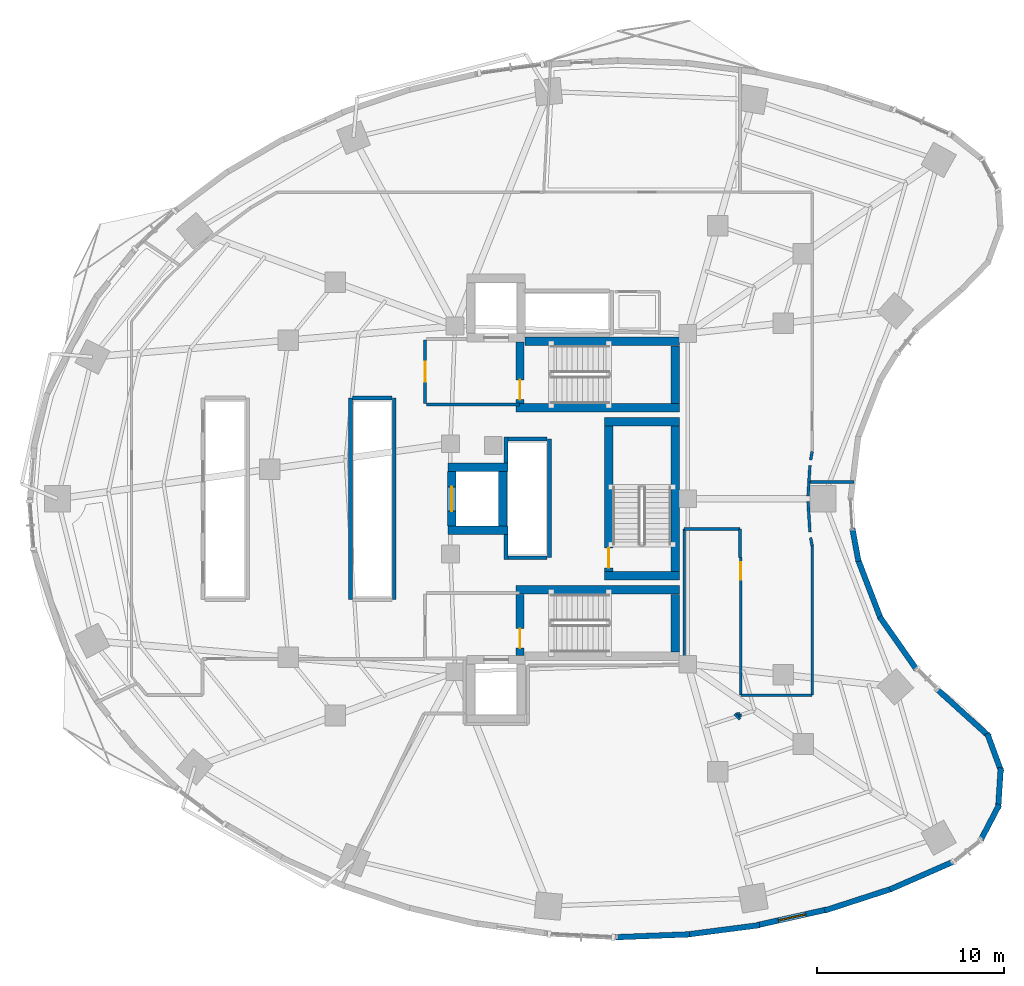
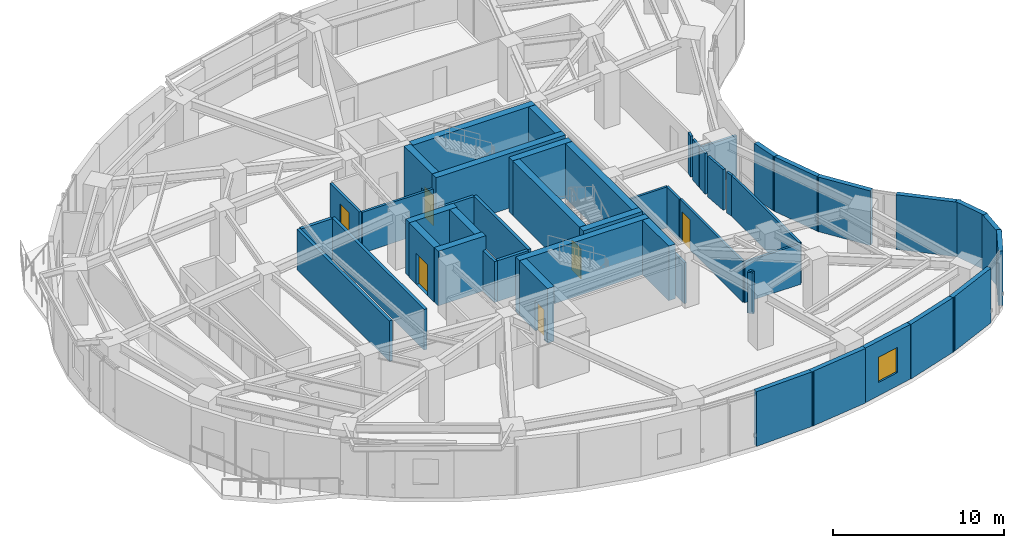
# One storey, part 9 of 14: 52 walls, 6 doors, 1 window, 7 openings.
"""IFC4 building model written with IfcOpenShell, lengths in metres."""

from ifc_helpers import new_model, si_unit, direction, frame, frame_2d, origin, place, context, subcontext, project, spatial, rectangle, extrude, material, layer, layer_set, type_object, element, fill, save


model = new_model("IFC4")

# Units and contexts
model_context = context("Model", 3, precision=1e-05, world=origin(), true_north=direction((0.0, 1.0)))
body_context = subcontext(model_context, "Body", "Model", "MODEL_VIEW")
ifc_project = project(units=[si_unit("LENGTHUNIT", "METRE"), si_unit("AREAUNIT", "SQUARE_METRE"), si_unit("VOLUMEUNIT", "CUBIC_METRE"), si_unit("PLANEANGLEUNIT", "RADIAN"), si_unit("MASSUNIT", "GRAM", prefix="KILO")], contexts=[model_context])

# Site, building, storey
site_placement = place(None, origin())
site = spatial("IfcSite", under=ifc_project, at=site_placement, CompositionType="ELEMENT")
building_placement = place(site_placement, origin())
building = spatial("IfcBuilding", under=site, at=building_placement, Name="Korentha Bioscience Tower", CompositionType="ELEMENT")
storey_placement = place(building_placement, frame((0.0, 0.0, 63.60009765625)))
storey = spatial("IfcBuildingStorey", under=building, at=storey_placement, Name="L14", CompositionType="ELEMENT", Elevation=63.60009765625)

# Wall, opening, door
ifc_material_1 = material(Name="Double-Stud Acoustic Gypsum", Category="gypsum")
ifc_layer_1 = layer(ifc_material_1, 0.14990234375, Name="Double-Stud Acoustic Gypsum")
ifc_layer_set_1 = layer_set([ifc_layer_1], Name="Double-Stud Acoustic Gypsum (IW-L150)")
wall_type_1 = type_object("IfcWallType", Name="Acoustic Laboratory Partition Wall 150", PredefinedType="PARTITIONING", material=ifc_layer_set_1)
wall_1_placement = place(storey_placement, frame((40.389892578125, 23.851318359375, 0.0), z_axis=(0.0, 0.0, 1.0), x_axis=(0.0, -1.0, 0.0)))
wall_1 = element("IfcWall", 1, at=wall_1_placement, inside=storey, type_object=wall_type_1, Name="L14 Biomechanical Motion Analysis Lab 02 Entrance Wall", PredefinedType="PARTITIONING", context=body_context, shape_type="SweptSolid", body=[
    extrude(rectangle(XDim=7.351318359375, YDim=0.14990234375, at=frame_2d((3.67578125, 0.0))), origin(), (0.0, 0.0, 1.0), 2.909912109375),
])
opening_1_placement = place(wall_1_placement, frame((0.239990234375, 0.0, 0.0)))
opening_1 = element("IfcOpeningElement", 2, at=opening_1_placement, cuts=wall_1, Name="Opening ID-10L", PredefinedType="OPENING", context=body_context, shape_type="SweptSolid", body=[
    extrude(rectangle(XDim=0.949951171875, YDim=2.14990234375, at=frame_2d((0.47509765625, 1.074951171875))), frame((0.0, 0.08984375, 0.0), z_axis=(0.0, -1.0, 0.0), x_axis=(1.0, 0.0, 0.0)), (0.0, 0.0, 1.0), 0.1796875),
])
ifc_material_2 = material(Name="Phenolic Laminate Timber Core", Category="wood")
door_type_1 = type_object("IfcDoorType", Name="Laboratory Single Leaf Door 950x2150 Left", OperationType="SINGLE_SWING_LEFT", PredefinedType="DOOR", material=ifc_material_2)
door_1_placement = place(opening_1_placement, origin())
door_1 = element("IfcDoor", 3, at=door_1_placement, inside=storey, type_object=door_type_1, Name="L14 Biomechanical Motion Analysis Lab 02 Door", OperationType="SINGLE_SWING_LEFT", OverallHeight=2.14990234375, OverallWidth=0.949951171875, PredefinedType="DOOR", context=body_context, shape_type="SweptSolid", body=[
    extrude(rectangle(XDim=0.949951171875, YDim=2.14990234375, at=frame_2d((0.47509765625, 1.074951171875))), frame((0.0, 0.02490234375, 0.0), z_axis=(0.0, -1.0, 0.0), x_axis=(1.0, 0.0, 0.0)), (0.0, 0.0, 1.0), 0.050048828125),
])
fill(opening_1, door_1)

# Walls
wall_2_placement = place(storey_placement, frame((37.360107421875, 18.10009765625, 0.0), z_axis=(0.0, 0.0, 1.0), x_axis=(0.0, 1.0, 0.0)))
element("IfcWall", 4, at=wall_2_placement, inside=storey, type_object=wall_type_1, Name="L14 Interior Partition 021", PredefinedType="PARTITIONING", context=body_context, shape_type="SweptSolid", body=[
    extrude(rectangle(XDim=7.289794921875, YDim=0.14990234375, at=frame_2d((3.64501953125, 0.0))), origin(), (0.0, 0.0, 1.0), 2.909912109375),
])
wall_3_placement = place(storey_placement, frame((37.360107421875, 25.389892578125, 0.0), z_axis=(0.0, 0.0, 1.0), x_axis=(1.0, 0.0, 0.0)))
element("IfcWall", 5, at=wall_3_placement, inside=storey, type_object=wall_type_1, Name="L14 Interior Partition 022", PredefinedType="PARTITIONING", context=body_context, shape_type="SweptSolid", body=[
    extrude(rectangle(XDim=2.98779296875, YDim=0.14990234375, at=frame_2d((1.493896484375, 0.0))), origin(), (0.0, 0.0, 1.0), 2.909912109375),
])
wall_4_placement = place(storey_placement, frame((40.347900390625, 25.389892578125, 0.0), z_axis=(0.0, 0.0, 1.0), x_axis=(0.0, -1.0, 0.0)))
element("IfcWall", 6, at=wall_4_placement, inside=storey, type_object=wall_type_1, Name="L14 Interior Partition 023", PredefinedType="PARTITIONING", context=body_context, shape_type="SweptSolid", body=[
    extrude(rectangle(XDim=1.522705078125, YDim=0.14990234375, at=frame_2d((0.76123046875, 0.0))), origin(), (0.0, 0.0, 1.0), 2.909912109375),
])
wall_5_placement = place(storey_placement, frame((40.39990234375, 16.489990234375, 0.0), z_axis=(0.0, 0.0, 1.0), x_axis=(1.0, 0.0, 0.0)))
element("IfcWall", 7, at=wall_5_placement, inside=storey, type_object=wall_type_1, Name="L14 Interior Partition 024", PredefinedType="PARTITIONING", context=body_context, shape_type="SweptSolid", body=[
    extrude(rectangle(XDim=3.800048828125, YDim=0.14990234375, at=frame_2d((1.89990234375, 0.0))), origin(), (0.0, 0.0, 1.0), 2.909912109375),
])
wall_6_placement = place(storey_placement, frame((44.2099609375, 16.5, 0.0), z_axis=(0.0, 0.0, 1.0), x_axis=(0.0, 1.0, 0.0)))
element("IfcWall", 8, at=wall_6_placement, inside=storey, type_object=wall_type_1, Name="L14 Interior Partition 025", PredefinedType="PARTITIONING", context=body_context, shape_type="SweptSolid", body=[
    extrude(rectangle(XDim=7.970458984375, YDim=0.14990234375, at=frame_2d((3.9853515625, 0.0))), origin(), (0.0, 0.0, 1.0), 2.909912109375),
])
wall_7_placement = place(storey_placement, frame((44.209716796875, 24.47216796875, 0.0), z_axis=(0.0, 0.0, 1.0), x_axis=(-0.181936414242, 0.983310297502, 0.0)))
element("IfcWall", 9, at=wall_7_placement, inside=storey, type_object=wall_type_1, Name="L14 Interior Partition 026", PredefinedType="PARTITIONING", context=body_context, shape_type="SweptSolid", body=[
    extrude(rectangle(XDim=0.45751953125, YDim=0.14990234375, at=frame_2d((0.228759765625, 0.0))), origin(), (0.0, 0.0, 1.0), 2.909912109375),
])
wall_8_placement = place(storey_placement, frame((44.090087890625, 25.217041015625, 0.0), z_axis=(0.0, 0.0, 1.0), x_axis=(-0.060976688407, 0.998139190429, 0.0)))
element("IfcWall", 10, at=wall_8_placement, inside=storey, type_object=wall_type_1, Name="L14 Interior Partition 027", PredefinedType="PARTITIONING", context=body_context, shape_type="SweptSolid", body=[
    extrude(rectangle(XDim=1.637451171875, YDim=0.14990234375, at=frame_2d((0.81884765625, 0.0))), origin(), (0.0, 0.0, 1.0), 2.909912109375),
])
wall_9_placement = place(storey_placement, frame((43.990234375, 27.1484375, 0.0), z_axis=(0.0, 0.0, 1.0), x_axis=(0.061123284078, 0.998130224041, 0.0)))
element("IfcWall", 11, at=wall_9_placement, inside=storey, type_object=wall_type_1, Name="L14 Interior Partition 028", PredefinedType="PARTITIONING", context=body_context, shape_type="SweptSolid", body=[
    extrude(rectangle(XDim=0.7509765625, YDim=0.14990234375, at=frame_2d((0.37548828125, 0.0))), origin(), (0.0, 0.0, 1.0), 2.909912109375),
])
wall_10_placement = place(storey_placement, frame((44.0361328125, 27.89794921875, 0.0), z_axis=(0.0, 0.0, 1.0), x_axis=(1.0, 0.0, 0.0)))
element("IfcWall", 12, at=wall_10_placement, inside=storey, type_object=wall_type_1, Name="L14 Interior Partition 029", PredefinedType="PARTITIONING", context=body_context, shape_type="SweptSolid", body=[
    extrude(rectangle(XDim=2.4140625, YDim=0.14990234375, at=frame_2d((1.20703125, 0.0))), origin(), (0.0, 0.0, 1.0), 2.909912109375),
])
wall_11_placement = place(storey_placement, frame((40.35205078125, 15.311767578125, 0.0), z_axis=(0.0, 0.0, 1.0), x_axis=(0.0, 1.0, 0.0)))
element("IfcWall", 13, at=wall_11_placement, inside=storey, type_object=wall_type_1, Name="L14 Interior Partition 031", PredefinedType="PARTITIONING", context=body_context, shape_type="SweptSolid", body=[
    extrude(rectangle(XDim=0.18603515625, YDim=0.14990234375, at=frame_2d((0.093017578125, 0.0))), origin(), (0.0, 0.0, 1.0), 2.909912109375),
])
wall_12_placement = place(storey_placement, frame((40.347900390625, 15.501953125, 0.0), z_axis=(0.0, 0.0, 1.0), x_axis=(-1.0, 0.0, 0.0)))
element("IfcWall", 14, at=wall_12_placement, inside=storey, type_object=wall_type_1, Name="L14 Interior Partition 032", PredefinedType="PARTITIONING", context=body_context, shape_type="SweptSolid", body=[
    extrude(rectangle(XDim=0.17919921875, YDim=0.14990234375, at=frame_2d((0.089599609375, 0.0))), origin(), (0.0, 0.0, 1.0), 2.909912109375),
])
wall_13_placement = place(storey_placement, frame((40.06689453125, 15.4951171875, 0.0), z_axis=(0.0, 0.0, 1.0), x_axis=(0.694203183931, -0.719779090708, 0.0)))
element("IfcWall", 15, at=wall_13_placement, inside=storey, type_object=wall_type_1, Name="L14 Interior Partition 033", PredefinedType="PARTITIONING", context=body_context, shape_type="SweptSolid", body=[
    extrude(rectangle(XDim=0.40087890625, YDim=0.14990234375, at=frame_2d((0.200439453125, 0.0))), origin(), (0.0, 0.0, 1.0), 2.909912109375),
])
wall_14_placement = place(storey_placement, frame((44.03662109375, 27.907958984375, 0.0), z_axis=(0.0, 0.0, 1.0), x_axis=(0.060991152113, 0.998138306731, 0.0)))
element("IfcWall", 16, at=wall_14_placement, inside=storey, type_object=wall_type_1, Name="L14 Interior Partition 034", PredefinedType="PARTITIONING", context=body_context, shape_type="SweptSolid", body=[
    extrude(rectangle(XDim=0.876708984375, YDim=0.14990234375, at=frame_2d((0.4384765625, 0.0))), origin(), (0.0, 0.0, 1.0), 2.909912109375),
])
wall_15_placement = place(storey_placement, frame((44.12646484375, 29.077880859375, 0.0), z_axis=(0.0, 0.0, 1.0), x_axis=(0.181936414242, 0.983310297502, 0.0)))
element("IfcWall", 17, at=wall_15_placement, inside=storey, type_object=wall_type_1, Name="L14 Interior Partition 035", PredefinedType="PARTITIONING", context=body_context, shape_type="SweptSolid", body=[
    extrude(rectangle(XDim=0.45751953125, YDim=0.14990234375, at=frame_2d((0.228759765625, 0.0))), origin(), (0.0, 0.0, 1.0), 2.909912109375),
])

# Wall, opening, door
ifc_material_3 = material(Name="Gypsum-Clad Steel Stud", Category="steel")
ifc_layer_2 = layer(ifc_material_3, 0.159912109375, Name="Gypsum-Clad Steel Stud")
ifc_layer_set_2 = layer_set([ifc_layer_2], Name="Gypsum-Clad Steel Stud (IW-C160)")
wall_type_2 = type_object("IfcWallType", Name="Fire-Rated Corridor Partition Wall 160", PredefinedType="PARTITIONING", material=ifc_layer_set_2)
wall_16_placement = place(storey_placement, frame((23.5, 32.10009765625, 0.0), z_axis=(0.0, 0.0, 1.0), x_axis=(0.0, 1.0, 0.0)))
wall_16 = element("IfcWall", 18, at=wall_16_placement, inside=storey, type_object=wall_type_2, Name="L14 FFLN-CW Rated Enclosure Wall", PredefinedType="PARTITIONING", context=body_context, shape_type="SweptSolid", body=[
    extrude(rectangle(XDim=3.39990234375, YDim=0.159912109375, at=frame_2d((1.699951171875, 0.0))), origin(), (0.0, 0.0, 1.0), 2.909912109375),
])
opening_2_placement = place(wall_16_placement, frame((1.175048828125, 0.0, 0.0)))
opening_2 = element("IfcOpeningElement", 19, at=opening_2_placement, cuts=wall_16, Name="Opening FD-90L", PredefinedType="OPENING", context=body_context, shape_type="SweptSolid", body=[
    extrude(rectangle(XDim=1.050048828125, YDim=2.14990234375, at=frame_2d((0.52490234375, 1.074951171875))), frame((0.0, 0.0947265625, 0.0), z_axis=(0.0, -1.0, 0.0), x_axis=(1.0, 0.0, 0.0)), (0.0, 0.0, 1.0), 0.189697265625),
])
ifc_material_4 = material(Name="Powder-Coated Fire-Rated Steel", Category="steel")
door_type_2 = type_object("IfcDoorType", Name="Stairwell Fire Exit Door 1050x2150 Left", OperationType="SINGLE_SWING_LEFT", PredefinedType="DOOR", material=ifc_material_4)
door_2_placement = place(opening_2_placement, origin())
door_2 = element("IfcDoor", 20, at=door_2_placement, inside=storey, type_object=door_type_2, Name="L14 North Firefighting Lobby Door", OperationType="SINGLE_SWING_LEFT", OverallHeight=2.14990234375, OverallWidth=1.050048828125, PredefinedType="DOOR", context=body_context, shape_type="SweptSolid", body=[
    extrude(rectangle(XDim=1.050048828125, YDim=2.14990234375, at=frame_2d((0.52490234375, 1.074951171875))), frame((0.0, 0.02490234375, 0.0), z_axis=(0.0, -1.0, 0.0), x_axis=(1.0, 0.0, 0.0)), (0.0, 0.0, 1.0), 0.050048828125),
])
fill(opening_2, door_2)

# Wall
wall_17_placement = place(storey_placement, frame((23.580078125, 32.050048828125, 0.0), z_axis=(0.0, 0.0, 1.0), x_axis=(1.0, 0.0, 0.0)))
element("IfcWall", 21, at=wall_17_placement, inside=storey, type_object=wall_type_2, Name="L14 Firefighting Lobby Return Wall FFLN-S", PredefinedType="PARTITIONING", context=body_context, shape_type="SweptSolid", body=[
    extrude(rectangle(XDim=4.969970703125, YDim=0.159912109375, at=frame_2d((2.48486328125, 0.0))), origin(), (0.0, 0.0, 1.0), 2.909912109375),
])

# Wall, opening, window
ifc_material_5 = material(Name="Honed Limestone Precast Concrete C40", Category="masonry")
ifc_layer_3 = layer(ifc_material_5, 0.300048828125, Name="Honed Limestone Precast Concrete C40")
ifc_layer_set_3 = layer_set([ifc_layer_3], Name="Honed Limestone Precast Concrete C40 (EW-ST300)")
wall_type_3 = type_object("IfcWallType", Name="Honed Limestone Cavity Spandrel Wall 300", PredefinedType="STANDARD", material=ifc_layer_set_3)
wall_18_placement = place(storey_placement, frame((41.239990234375, 4.17919921875, 0.0), z_axis=(0.0, 0.0, 1.0), x_axis=(0.9758772609, 0.218319883791, 0.0)))
wall_18 = element("IfcWall", 22, at=wall_18_placement, inside=storey, type_object=wall_type_3, Name="L14 Honed Limestone Spandrel Wall 34", PredefinedType="STANDARD", context=body_context, shape_type="SweptSolid", body=[
    extrude(rectangle(XDim=3.869140625, YDim=0.300048828125, at=frame_2d((1.9345703125, 0.0))), origin(), (0.0, 0.0, 1.0), 3.89990234375),
])
opening_3_placement = place(wall_18_placement, frame((1.1845703125, 0.0, 0.949951171875)))
opening_3 = element("IfcOpeningElement", 23, at=opening_3_placement, cuts=wall_18, Name="Opening WN-02", PredefinedType="OPENING", context=body_context, shape_type="SweptSolid", body=[
    extrude(rectangle(XDim=1.5, YDim=1.800048828125, at=frame_2d((0.75, 0.89990234375))), frame((0.0, 0.1650390625, 0.0), z_axis=(0.0, -1.0, 0.0), x_axis=(1.0, 0.0, 0.0)), (0.0, 0.0, 1.0), 0.329833984375),
])
ifc_material_6 = material(Name="Thermally Broken Aluminium Triple Glazing", Category="aluminium")
window_type = type_object("IfcWindowType", Name="Acoustic Operable Office Window 1500x1800", PartitioningType="DOUBLE_PANEL_VERTICAL", PredefinedType="WINDOW", material=ifc_material_6)
window_placement = place(opening_3_placement, origin())
window = element("IfcWindow", 24, at=window_placement, inside=storey, type_object=window_type, Name="L14 Facade Window 34", OverallHeight=1.800048828125, OverallWidth=1.5, PartitioningType="DOUBLE_PANEL_VERTICAL", PredefinedType="WINDOW", context=body_context, shape_type="SweptSolid", body=[
    extrude(rectangle(XDim=1.5, YDim=1.800048828125, at=frame_2d((0.75, 0.89990234375))), frame((0.0, 0.030029296875, 0.0), z_axis=(0.0, -1.0, 0.0), x_axis=(1.0, 0.0, 0.0)), (0.0, 0.0, 1.0), 0.06005859375),
])
fill(opening_3, window)

# Walls
wall_19_placement = place(storey_placement, frame((33.66796875, 3.53759765625, 0.0), z_axis=(0.0, 0.0, 1.0), x_axis=(0.999245411623, 0.038840794937, 0.0)))
element("IfcWall", 25, at=wall_19_placement, inside=storey, type_object=wall_type_3, Name="L14 Limestone Perimeter Closure Wall 32", PredefinedType="STANDARD", context=body_context, shape_type="SweptSolid", body=[
    extrude(rectangle(XDim=3.978759765625, YDim=0.300048828125, at=frame_2d((1.9892578125, 0.0))), origin(), (0.0, 0.0, 1.0), 3.89990234375),
])
wall_20_placement = place(storey_placement, frame((37.471923828125, 3.677734375, 0.0), z_axis=(0.0, 0.0, 1.0), x_axis=(0.991734095036, 0.128310111617, 0.0)))
element("IfcWall", 26, at=wall_20_placement, inside=storey, type_object=wall_type_3, Name="L14 Limestone Perimeter Closure Wall 33", PredefinedType="STANDARD", context=body_context, shape_type="SweptSolid", body=[
    extrude(rectangle(XDim=3.955810546875, YDim=0.300048828125, at=frame_2d((1.97802734375, 0.0))), origin(), (0.0, 0.0, 1.0), 3.89990234375),
])
wall_21_placement = place(storey_placement, frame((44.872802734375, 4.963134765625, 0.0), z_axis=(0.0, 0.0, 1.0), x_axis=(0.950965833732, 0.309295947393, 0.0)))
element("IfcWall", 27, at=wall_21_placement, inside=storey, type_object=wall_type_3, Name="L14 Limestone Perimeter Closure Wall 35", PredefinedType="STANDARD", context=body_context, shape_type="SweptSolid", body=[
    extrude(rectangle(XDim=3.840087890625, YDim=0.300048828125, at=frame_2d((1.919921875, 0.0))), origin(), (0.0, 0.0, 1.0), 3.89990234375),
])
wall_22_placement = place(storey_placement, frame((48.3623046875, 6.089111328125, 0.0), z_axis=(0.0, 0.0, 1.0), x_axis=(0.915945168042, 0.401303437738, 0.0)))
element("IfcWall", 28, at=wall_22_placement, inside=storey, type_object=wall_type_3, Name="L14 Limestone Perimeter Closure Wall 36", PredefinedType="STANDARD", context=body_context, shape_type="SweptSolid", body=[
    extrude(rectangle(XDim=3.75244140625, YDim=0.300048828125, at=frame_2d((1.876220703125, 0.0))), origin(), (0.0, 0.0, 1.0), 3.89990234375),
])
wall_23_placement = place(storey_placement, frame((53.20751953125, 8.691650390625, 0.0), z_axis=(0.0, 0.0, 1.0), x_axis=(0.463035066673, 0.886339961319, 0.0)))
element("IfcWall", 29, at=wall_23_placement, inside=storey, type_object=wall_type_3, Name="L14 Limestone Perimeter Closure Wall 38", PredefinedType="STANDARD", context=body_context, shape_type="SweptSolid", body=[
    extrude(rectangle(XDim=2.1875, YDim=0.300048828125, at=frame_2d((1.09375, 0.0))), origin(), (0.0, 0.0, 1.0), 3.89990234375),
])
for number, where, z_axis, x_axis, name in (
    (30, (54.16259765625, 10.42431640625, 0.0), (0.0, 0.0, 1.0), (0.064615302336, 0.99791024782, 0.0), "L14 Limestone Perimeter Closure Wall 39"),
    (31, (54.334716796875, 12.39501953125, 0.0), (0.0, 0.0, 1.0), (-0.344939866054, 0.938624785954, 0.0), "L14 Limestone Perimeter Closure Wall 40"),
):
    element("IfcWall", number, at=place(storey_placement, frame(where, z_axis=z_axis, x_axis=x_axis)), inside=storey, type_object=wall_type_3, Name=name, PredefinedType="STANDARD", context=body_context, shape_type="SweptSolid", body=[
        extrude(rectangle(XDim=2.187744140625, YDim=0.300048828125, at=frame_2d((1.09375, 0.0))), origin(), (0.0, 0.0, 1.0), 3.89990234375),
    ])
wall_24_placement = place(storey_placement, frame((53.704345703125, 14.26416015625, 0.0), z_axis=(0.0, 0.0, 1.0), x_axis=(-0.74117794387, 0.671308614216, 0.0)))
element("IfcWall", 32, at=wall_24_placement, inside=storey, type_object=wall_type_3, Name="L14 Limestone Perimeter Closure Wall 41", PredefinedType="STANDARD", context=body_context, shape_type="SweptSolid", body=[
    extrude(rectangle(XDim=3.815673828125, YDim=0.300048828125, at=frame_2d((1.90771484375, 0.0))), origin(), (0.0, 0.0, 1.0), 3.89990234375),
])
wall_25_placement = place(storey_placement, frame((49.79248046875, 17.8779296875, 0.0), z_axis=(0.0, 0.0, 1.0), x_axis=(-0.573576992806, 0.819151654655, 0.0)))
element("IfcWall", 33, at=wall_25_placement, inside=storey, type_object=wall_type_3, Name="L14 Limestone Perimeter Closure Wall 44", PredefinedType="STANDARD", context=body_context, shape_type="SweptSolid", body=[
    extrude(rectangle(XDim=3.429931640625, YDim=0.300048828125, at=frame_2d((1.71484375, 0.0))), origin(), (0.0, 0.0, 1.0), 3.89990234375),
])
wall_26_placement = place(storey_placement, frame((47.8837890625, 20.577392578125, 0.0), z_axis=(0.0, 0.0, 1.0), x_axis=(-0.358344570513, 0.933589400531, 0.0)))
element("IfcWall", 34, at=wall_26_placement, inside=storey, type_object=wall_type_3, Name="L14 Limestone Perimeter Closure Wall 46", PredefinedType="STANDARD", context=body_context, shape_type="SweptSolid", body=[
    extrude(rectangle(XDim=3.4296875, YDim=0.300048828125, at=frame_2d((1.71484375, 0.0))), origin(), (0.0, 0.0, 1.0), 3.89990234375),
])
wall_27_placement = place(storey_placement, frame((46.691162109375, 23.650390625, 0.0), z_axis=(0.0, 0.0, 1.0), x_axis=(-0.182230271073, 0.983255881399, 0.0)))
element("IfcWall", 35, at=wall_27_placement, inside=storey, type_object=wall_type_3, Name="L14 Limestone Perimeter Closure Wall 48", PredefinedType="STANDARD", context=body_context, shape_type="SweptSolid", body=[
    extrude(rectangle(XDim=1.7978515625, YDim=0.300048828125, at=frame_2d((0.89892578125, 0.0))), origin(), (0.0, 0.0, 1.0), 3.89990234375),
])
ifc_material_7 = material(Name="Autoclaved Aerated Concrete Block C25", Category="concrete")
ifc_layer_4 = layer(ifc_material_7, 0.199951171875, Name="Autoclaved Aerated Concrete Block C25")
ifc_layer_set_4 = layer_set([ifc_layer_4], Name="Autoclaved Aerated Concrete Block C25 (IW-S200)")
wall_type_4 = type_object("IfcWallType", Name="Lift and Riser Shaft Enclosure Wall 200", PredefinedType="PARTITIONING", material=ifc_layer_set_4)
for number, where, z_axis, x_axis, name in (
    (36, (19.5, 21.60009765625, 0.0), (0.0, 0.0, 1.0), (0.0, 1.0, 0.0), "L14 Lift Bank MID Shaft Wall -X"),
    (37, (21.85009765625, 21.60009765625, 0.0), (0.0, 0.0, 1.0), (0.0, 1.0, 0.0), "L14 Lift Bank MID Shaft Wall +X"),
):
    element("IfcWall", number, at=place(storey_placement, frame(where, z_axis=z_axis, x_axis=x_axis)), inside=storey, type_object=wall_type_4, Name=name, PredefinedType="PARTITIONING", context=body_context, shape_type="SweptSolid", body=[
        extrude(rectangle(XDim=10.7998046875, YDim=0.199951171875, at=frame_2d((5.39990234375, 0.0))), origin(), (0.0, 0.0, 1.0), 2.909912109375),
    ])
wall_28_placement = place(storey_placement, frame((19.6201171875, 32.39990234375, 0.0), z_axis=(0.0, 0.0, 1.0), x_axis=(1.0, 0.0, 0.0)))
element("IfcWall", 38, at=wall_28_placement, inside=storey, type_object=wall_type_4, Name="L14 Lift Bank MID Shaft Wall +Y", PredefinedType="PARTITIONING", context=body_context, shape_type="SweptSolid", body=[
    extrude(rectangle(XDim=2.10986328125, YDim=0.199951171875, at=frame_2d((1.054931640625, 0.0))), origin(), (0.0, 0.0, 1.0), 2.909912109375),
])
wall_29_placement = place(storey_placement, frame((27.830078125, 23.75, 0.0), z_axis=(0.0, 0.0, 1.0), x_axis=(0.0, 1.0, 0.0)))
element("IfcWall", 39, at=wall_29_placement, inside=storey, type_object=wall_type_4, Name="L14 Lift Bank HIGH Shaft Wall -XS", PredefinedType="PARTITIONING", context=body_context, shape_type="SweptSolid", body=[
    extrude(rectangle(XDim=1.341064453125, YDim=0.199951171875, at=frame_2d((0.67041015625, 0.0))), origin(), (0.0, 0.0, 1.0), 2.909912109375),
])
wall_30_placement = place(storey_placement, frame((27.830078125, 28.908935546875, 0.0), z_axis=(0.0, 0.0, 1.0), x_axis=(0.0, 1.0, 0.0)))
element("IfcWall", 40, at=wall_30_placement, inside=storey, type_object=wall_type_4, Name="L14 Lift Bank HIGH Shaft Wall -XN", PredefinedType="PARTITIONING", context=body_context, shape_type="SweptSolid", body=[
    extrude(rectangle(XDim=1.39111328125, YDim=0.199951171875, at=frame_2d((0.695556640625, 0.0))), origin(), (0.0, 0.0, 1.0), 2.909912109375),
])
wall_31_placement = place(storey_placement, frame((30.14990234375, 23.85009765625, 0.0), z_axis=(0.0, 0.0, 1.0), x_axis=(0.0, 1.0, 0.0)))
element("IfcWall", 41, at=wall_31_placement, inside=storey, type_object=wall_type_4, Name="L14 Lift Bank HIGH Shaft Wall +X", PredefinedType="PARTITIONING", context=body_context, shape_type="SweptSolid", body=[
    extrude(rectangle(XDim=6.349853515625, YDim=0.199951171875, at=frame_2d((3.1748046875, 0.0))), origin(), (0.0, 0.0, 1.0), 2.909912109375),
])
for number, where, z_axis, x_axis, name in (
    (42, (27.93408203125, 23.85009765625, 0.0), (0.0, 0.0, 1.0), (1.0, 0.0, 0.0), "L14 Lift Bank HIGH Shaft Wall -Y"),
    (43, (27.93408203125, 30.199951171875, 0.0), (0.0, 0.0, 1.0), (1.0, 0.0, 0.0), "L14 Lift Bank HIGH Shaft Wall +Y"),
):
    element("IfcWall", number, at=place(storey_placement, frame(where, z_axis=z_axis, x_axis=x_axis)), inside=storey, type_object=wall_type_4, Name=name, PredefinedType="PARTITIONING", context=body_context, shape_type="SweptSolid", body=[
        extrude(rectangle(XDim=2.095947265625, YDim=0.199951171875, at=frame_2d((1.0478515625, 0.0))), origin(), (0.0, 0.0, 1.0), 2.909912109375),
    ])
ifc_material_8 = material(Name="Concrete C80", Category="concrete")
ifc_layer_5 = layer(ifc_material_8, 0.449951171875, Name="Concrete C80")
ifc_layer_set_5 = layer_set([ifc_layer_5], Name="Concrete C80 (CW-C80)")
wall_type_5 = type_object("IfcWallType", Name="Lower Core Shear Wall 450", PredefinedType="SHEAR", material=ifc_layer_set_5)
wall_32_placement = place(storey_placement, frame((28.85205078125, 35.425048828125, 0.0), z_axis=(0.0, 0.0, 1.0), x_axis=(1.0, 0.0, 0.0)))
element("IfcWall", 44, at=wall_32_placement, inside=storey, type_object=wall_type_5, Name="L14 Core Shear Wall ST1-N", PredefinedType="SHEAR", context=body_context, shape_type="SweptSolid", body=[
    extrude(rectangle(XDim=8.248046875, YDim=0.449951171875, at=frame_2d((4.1240234375, 0.0))), origin(), (0.0, 0.0, 1.0), 3.89990234375),
])
wall_33_placement = place(storey_placement, frame((28.35009765625, 31.875, 0.0), z_axis=(0.0, 0.0, 1.0), x_axis=(1.0, 0.0, 0.0)))
element("IfcWall", 45, at=wall_33_placement, inside=storey, type_object=wall_type_5, Name="L14 Core Shear Wall ST1-S", PredefinedType="SHEAR", context=body_context, shape_type="SweptSolid", body=[
    extrude(rectangle(XDim=8.75, YDim=0.449951171875, at=frame_2d((4.375, 0.0))), origin(), (0.0, 0.0, 1.0), 3.89990234375),
])
wall_34_placement = place(storey_placement, frame((36.875, 32.110107421875, 0.0), z_axis=(0.0, 0.0, 1.0), x_axis=(0.0, 1.0, 0.0)))
element("IfcWall", 46, at=wall_34_placement, inside=storey, type_object=wall_type_5, Name="L14 Core Shear Wall ST1-E", PredefinedType="SHEAR", context=body_context, shape_type="SweptSolid", body=[
    extrude(rectangle(XDim=3.079833984375, YDim=0.449951171875, at=frame_2d((1.5400390625, 0.0))), origin(), (0.0, 0.0, 1.0), 3.89990234375),
])

# Wall, opening, door
wall_35_placement = place(storey_placement, frame((28.574951171875, 32.110107421875, 0.0), z_axis=(0.0, 0.0, 1.0), x_axis=(0.0, 1.0, 0.0)))
wall_35 = element("IfcWall", 47, at=wall_35_placement, inside=storey, type_object=wall_type_5, Name="L14 Core Shear Wall ST1-W", PredefinedType="SHEAR", context=body_context, shape_type="SweptSolid", body=[
    extrude(rectangle(XDim=3.282958984375, YDim=0.449951171875, at=frame_2d((1.6416015625, 0.0))), origin(), (0.0, 0.0, 1.0), 3.89990234375),
])
opening_4_placement = place(wall_35_placement, frame((0.199951171875, 0.0, 0.0)))
opening_4 = element("IfcOpeningElement", 48, at=opening_4_placement, cuts=wall_35, Name="Opening FD-90L", PredefinedType="OPENING", context=body_context, shape_type="SweptSolid", body=[
    extrude(rectangle(XDim=1.050048828125, YDim=2.14990234375, at=frame_2d((0.52490234375, 1.074951171875))), frame((0.0, 0.23974609375, 0.0), z_axis=(0.0, -1.0, 0.0), x_axis=(1.0, 0.0, 0.0)), (0.0, 0.0, 1.0), 0.479736328125),
])
door_3_placement = place(opening_4_placement, origin())
door_3 = element("IfcDoor", 49, at=door_3_placement, inside=storey, type_object=door_type_2, Name="L14 ST-1 Fire Exit Stair Door", OperationType="SINGLE_SWING_LEFT", OverallHeight=2.14990234375, OverallWidth=1.050048828125, PredefinedType="DOOR", context=body_context, shape_type="SweptSolid", body=[
    extrude(rectangle(XDim=1.050048828125, YDim=2.14990234375, at=frame_2d((0.52490234375, 1.074951171875))), frame((0.0, 0.02490234375, 0.0), z_axis=(0.0, -1.0, 0.0), x_axis=(1.0, 0.0, 0.0)), (0.0, 0.0, 1.0), 0.050048828125),
])
fill(opening_4, door_3)

# Walls
wall_36_placement = place(storey_placement, frame((28.35009765625, 22.125, 0.0), z_axis=(0.0, 0.0, 1.0), x_axis=(1.0, 0.0, 0.0)))
element("IfcWall", 50, at=wall_36_placement, inside=storey, type_object=wall_type_5, Name="L14 Core Shear Wall ST2-N", PredefinedType="SHEAR", context=body_context, shape_type="SweptSolid", body=[
    extrude(rectangle(XDim=8.75, YDim=0.449951171875, at=frame_2d((4.375, 0.0))), origin(), (0.0, 0.0, 1.0), 3.89990234375),
])
wall_37_placement = place(storey_placement, frame((36.875, 18.81005859375, 0.0), z_axis=(0.0, 0.0, 1.0), x_axis=(0.0, 1.0, 0.0)))
element("IfcWall", 51, at=wall_37_placement, inside=storey, type_object=wall_type_5, Name="L14 Core Shear Wall ST2-E", PredefinedType="SHEAR", context=body_context, shape_type="SweptSolid", body=[
    extrude(rectangle(XDim=3.079833984375, YDim=0.449951171875, at=frame_2d((1.5400390625, 0.0))), origin(), (0.0, 0.0, 1.0), 3.89990234375),
])

# Wall, opening, door
wall_38_placement = place(storey_placement, frame((28.574951171875, 18.60693359375, 0.0), z_axis=(0.0, 0.0, 1.0), x_axis=(0.0, 1.0, 0.0)))
wall_38 = element("IfcWall", 52, at=wall_38_placement, inside=storey, type_object=wall_type_5, Name="L14 Core Shear Wall ST2-W", PredefinedType="SHEAR", context=body_context, shape_type="SweptSolid", body=[
    extrude(rectangle(XDim=3.282958984375, YDim=0.449951171875, at=frame_2d((1.6416015625, 0.0))), origin(), (0.0, 0.0, 1.0), 3.89990234375),
])
opening_5_placement = place(wall_38_placement, frame((0.403076171875, 0.0, 0.0)))
opening_5 = element("IfcOpeningElement", 53, at=opening_5_placement, cuts=wall_38, Name="Opening FD-90L", PredefinedType="OPENING", context=body_context, shape_type="SweptSolid", body=[
    extrude(rectangle(XDim=1.050048828125, YDim=2.14990234375, at=frame_2d((0.52490234375, 1.074951171875))), frame((0.0, 0.23974609375, 0.0), z_axis=(0.0, -1.0, 0.0), x_axis=(1.0, 0.0, 0.0)), (0.0, 0.0, 1.0), 0.479736328125),
])
door_4_placement = place(opening_5_placement, origin())
door_4 = element("IfcDoor", 54, at=door_4_placement, inside=storey, type_object=door_type_2, Name="L14 ST-2 Fire Exit Stair Door", OperationType="SINGLE_SWING_LEFT", OverallHeight=2.14990234375, OverallWidth=1.050048828125, PredefinedType="DOOR", context=body_context, shape_type="SweptSolid", body=[
    extrude(rectangle(XDim=1.050048828125, YDim=2.14990234375, at=frame_2d((0.52490234375, 1.074951171875))), frame((0.0, 0.02490234375, 0.0), z_axis=(0.0, -1.0, 0.0), x_axis=(1.0, 0.0, 0.0)), (0.0, 0.0, 1.0), 0.050048828125),
])
fill(opening_5, door_4)

# Walls
for number, where, z_axis, x_axis, name in (
    (55, (33.10009765625, 31.125, 0.0), (0.0, 0.0, 1.0), (1.0, 0.0, 0.0), "L14 Core Shear Wall ST3-N"),
    (56, (33.10009765625, 22.875, 0.0), (0.0, 0.0, 1.0), (1.0, 0.0, 0.0), "L14 Core Shear Wall ST3-S"),
):
    element("IfcWall", number, at=place(storey_placement, frame(where, z_axis=z_axis, x_axis=x_axis)), inside=storey, type_object=wall_type_5, Name=name, PredefinedType="SHEAR", context=body_context, shape_type="SweptSolid", body=[
        extrude(rectangle(XDim=4.0, YDim=0.449951171875, at=frame_2d((2.0, 0.0))), origin(), (0.0, 0.0, 1.0), 3.89990234375),
    ])
wall_39_placement = place(storey_placement, frame((36.875, 23.110107421875, 0.0), z_axis=(0.0, 0.0, 1.0), x_axis=(0.0, 1.0, 0.0)))
element("IfcWall", 57, at=wall_39_placement, inside=storey, type_object=wall_type_5, Name="L14 Core Shear Wall ST3-E", PredefinedType="SHEAR", context=body_context, shape_type="SweptSolid", body=[
    extrude(rectangle(XDim=7.77978515625, YDim=0.449951171875, at=frame_2d((3.889892578125, 0.0))), origin(), (0.0, 0.0, 1.0), 3.89990234375),
])

# Wall, opening, door
wall_40_placement = place(storey_placement, frame((33.324951171875, 23.110107421875, 0.0), z_axis=(0.0, 0.0, 1.0), x_axis=(0.0, 1.0, 0.0)))
wall_40 = element("IfcWall", 58, at=wall_40_placement, inside=storey, type_object=wall_type_5, Name="L14 Core Shear Wall ST3-W", PredefinedType="SHEAR", context=body_context, shape_type="SweptSolid", body=[
    extrude(rectangle(XDim=7.77978515625, YDim=0.449951171875, at=frame_2d((3.889892578125, 0.0))), origin(), (0.0, 0.0, 1.0), 3.89990234375),
])
opening_6_placement = place(wall_40_placement, frame((0.199951171875, 0.0, 0.0)))
opening_6 = element("IfcOpeningElement", 59, at=opening_6_placement, cuts=wall_40, Name="Opening FD-90L", PredefinedType="OPENING", context=body_context, shape_type="SweptSolid", body=[
    extrude(rectangle(XDim=1.050048828125, YDim=2.14990234375, at=frame_2d((0.52490234375, 1.074951171875))), frame((0.0, 0.23974609375, 0.0), z_axis=(0.0, -1.0, 0.0), x_axis=(1.0, 0.0, 0.0)), (0.0, 0.0, 1.0), 0.479736328125),
])
door_5_placement = place(opening_6_placement, origin())
door_5 = element("IfcDoor", 60, at=door_5_placement, inside=storey, type_object=door_type_2, Name="L14 ST-3 Fire Exit Stair Door", OperationType="SINGLE_SWING_LEFT", OverallHeight=2.14990234375, OverallWidth=1.050048828125, PredefinedType="DOOR", context=body_context, shape_type="SweptSolid", body=[
    extrude(rectangle(XDim=1.050048828125, YDim=2.14990234375, at=frame_2d((0.52490234375, 1.074951171875))), frame((0.0, 0.02490234375, 0.0), z_axis=(0.0, -1.0, 0.0), x_axis=(1.0, 0.0, 0.0)), (0.0, 0.0, 1.0), 0.050048828125),
])
fill(opening_6, door_5)

# Walls
for number, where, z_axis, x_axis, name in (
    (61, (24.719970703125, 28.679931640625, 0.0), (0.0, 0.0, 1.0), (1.0, 0.0, 0.0), "L14 Core Shear Wall SVL1-N"),
    (62, (24.719970703125, 25.320068359375, 0.0), (0.0, 0.0, 1.0), (1.0, 0.0, 0.0), "L14 Core Shear Wall SVL1-S"),
):
    element("IfcWall", number, at=place(storey_placement, frame(where, z_axis=z_axis, x_axis=x_axis)), inside=storey, type_object=wall_type_5, Name=name, PredefinedType="SHEAR", context=body_context, shape_type="SweptSolid", body=[
        extrude(rectangle(XDim=3.2099609375, YDim=0.449951171875, at=frame_2d((1.60498046875, 0.0))), origin(), (0.0, 0.0, 1.0), 3.89990234375),
    ])

# Wall, opening, door
wall_41_placement = place(storey_placement, frame((24.919921875, 25.547119140625, 0.0), z_axis=(0.0, 0.0, 1.0), x_axis=(0.0, 1.0, 0.0)))
wall_41 = element("IfcWall", 63, at=wall_41_placement, inside=storey, type_object=wall_type_5, Name="L14 Core Shear Wall SVL1-W", PredefinedType="SHEAR", context=body_context, shape_type="SweptSolid", body=[
    extrude(rectangle(XDim=2.90576171875, YDim=0.449951171875, at=frame_2d((1.452880859375, 0.0))), origin(), (0.0, 0.0, 1.0), 3.89990234375),
])
opening_7_placement = place(wall_41_placement, frame((0.7900390625, 0.0, 0.0)))
opening_7 = element("IfcOpeningElement", 64, at=opening_7_placement, cuts=wall_41, Name="Opening LD-13", PredefinedType="OPENING", context=body_context, shape_type="SweptSolid", body=[
    extrude(rectangle(XDim=1.300048828125, YDim=2.199951171875, at=frame_2d((0.64990234375, 1.10009765625))), frame((0.0, 0.23974609375, 0.0), z_axis=(0.0, -1.0, 0.0), x_axis=(1.0, 0.0, 0.0)), (0.0, 0.0, 1.0), 0.479736328125),
])
ifc_material_9 = material(Name="Brushed Stainless Steel 316", Category="steel")
door_type_3 = type_object("IfcDoorType", Name="Service & Firefighting Lift Landing Door 1300x2300", OperationType="DOUBLE_DOOR_SLIDING", PredefinedType="DOOR", material=ifc_material_9)
door_6_placement = place(opening_7_placement, origin())
door_6 = element("IfcDoor", 65, at=door_6_placement, inside=storey, type_object=door_type_3, Name="L14 SVL-1 Sliding Lift Landing Door", OperationType="DOUBLE_DOOR_SLIDING", OverallHeight=2.199951171875, OverallWidth=1.300048828125, PredefinedType="DOOR", context=body_context, shape_type="SweptSolid", body=[
    extrude(rectangle(XDim=1.300048828125, YDim=2.199951171875, at=frame_2d((0.64990234375, 1.10009765625))), frame((0.0, 0.02490234375, 0.0), z_axis=(0.0, -1.0, 0.0), x_axis=(1.0, 0.0, 0.0)), (0.0, 0.0, 1.0), 0.050048828125),
])
fill(opening_7, door_6)

# Wall
wall_42_placement = place(storey_placement, frame((27.64990234375, 25.547119140625, 0.0), z_axis=(0.0, 0.0, 1.0), x_axis=(0.0, 1.0, 0.0)))
element("IfcWall", 66, at=wall_42_placement, inside=storey, type_object=wall_type_5, Name="L14 Core Shear Wall SVL1-E", PredefinedType="SHEAR", context=body_context, shape_type="SweptSolid", body=[
    extrude(rectangle(XDim=2.90576171875, YDim=0.449951171875, at=frame_2d((1.452880859375, 0.0))), origin(), (0.0, 0.0, 1.0), 3.89990234375),
])

save(model, "model.ifc")
